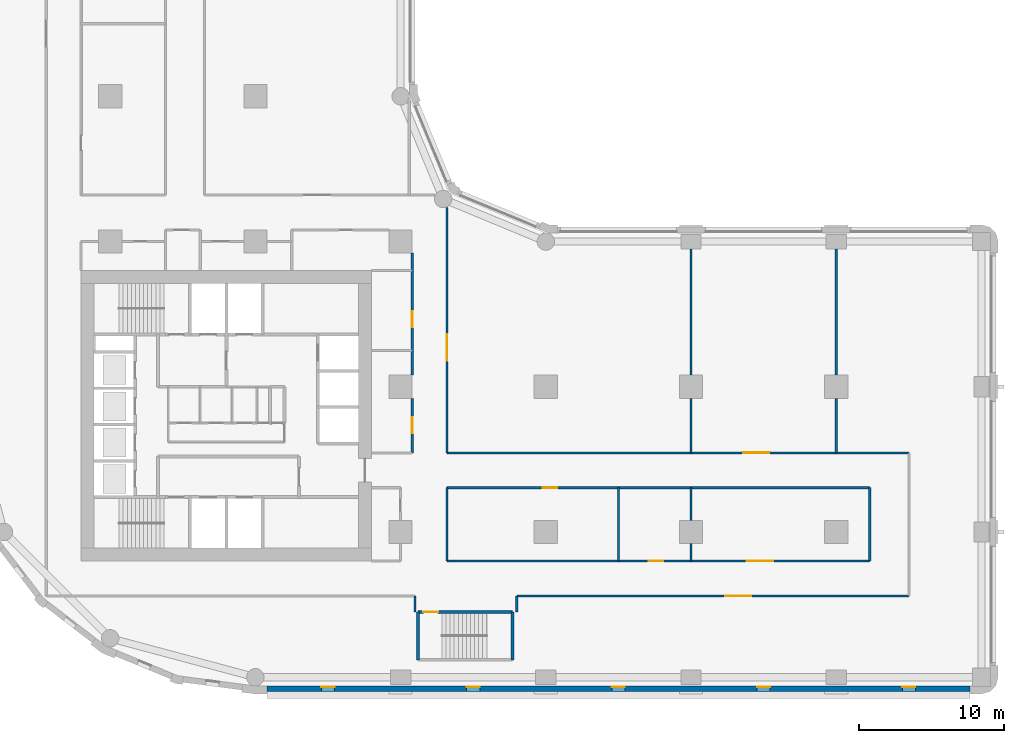
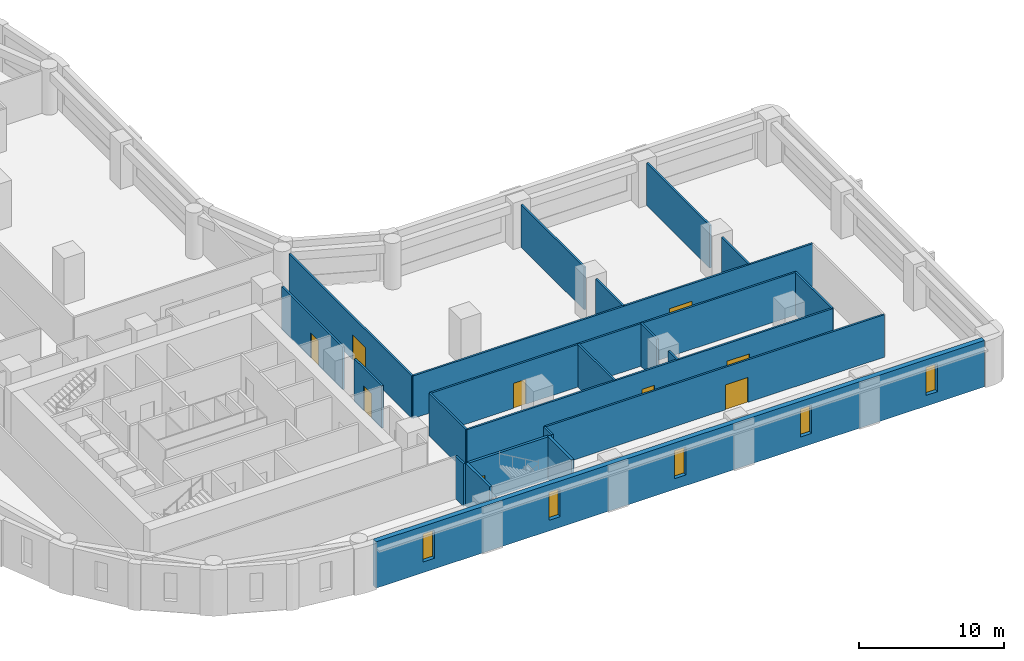
# One storey, part 4 of 10: 22 walls, 9 doors, 5 windows, 14 openings.
"""IFC4 building model written with IfcOpenShell, lengths in metres."""

import ifcopenshell
import ifcopenshell.guid

model = None  # the IFC model being written
_history = None  # IfcOwnerHistory: only IFC2X3 demands one
_inside = {}  # id of a spatial element -> (the spatial element, [elements in it])
_under = {}  # id of a project, library or spatial element -> (it, [spatial elements below it])
_declared = {}  # id of a project -> (the project, [libraries it declares])
_typed = {}  # id of a type object -> (the type object, [elements of that type])
_made_of = {}  # id of a material, layer set ... -> (it, [elements and type objects made of it])


def new_model(schema):
    """Start an empty IFC model of exactly this schema.

    Asked for "IFC4X3", IfcOpenShell would pick the latest addendum, in which some entities
    have other attributes; the version numbers below select the first issue.
    IFC2X3 requires an IfcOwnerHistory on every rooted entity: one is made here for all.
    """
    global model, _history
    if schema == "IFC4X3":
        model = ifcopenshell.file(schema_version=(4, 3, 0, 0))
    else:
        model = ifcopenshell.file(schema=schema)
    _inside.clear()
    _under.clear()
    _declared.clear()
    _typed.clear()
    _made_of.clear()
    _history = None
    if model.schema == "IFC2X3":
        org = make("IfcOrganization", Name="unknown")
        user = make(
            "IfcPersonAndOrganization",
            ThePerson=make("IfcPerson", FamilyName="unknown"),
            TheOrganization=org,
        )
        app = make(
            "IfcApplication",
            ApplicationDeveloper=org,
            Version="unknown",
            ApplicationFullName="unknown",
            ApplicationIdentifier="unknown",
        )
        _history = make(
            "IfcOwnerHistory",
            OwningUser=user,
            OwningApplication=app,
            ChangeAction="ADDED",
            CreationDate=0,
        )
    return model


def make(cls, **values):
    """One entity of the class cls with the attributes given. An attribute that is None is left unset."""
    return model.create_entity(
        cls, **{name: value for name, value in values.items() if value is not None}
    )


def rooted(cls, **values):
    """An entity with a GlobalId (a new one), such as an element, a storey or a relation."""
    return make(cls, GlobalId=ifcopenshell.guid.new(), OwnerHistory=_history, **values)


def si_unit(unit_type, name, prefix=None):
    """IfcSIUnit, for example si_unit("LENGTHUNIT", "METRE", prefix="MILLI")."""
    return make("IfcSIUnit", UnitType=unit_type, Prefix=prefix, Name=name)


def assignment(units):
    """IfcUnitAssignment: the units of a project."""
    return None if units is None else make("IfcUnitAssignment", Units=units)


def point(xyz):
    """IfcCartesianPoint."""
    return None if xyz is None else make("IfcCartesianPoint", Coordinates=xyz)


def direction(xyz):
    """IfcDirection."""
    return None if xyz is None else make("IfcDirection", DirectionRatios=xyz)


def frame(location, z_axis=None, x_axis=None):
    """IfcAxis2Placement3D, a coordinate frame: its origin and axes. An axis left out is left unset."""
    return make(
        "IfcAxis2Placement3D",
        Location=point(location),
        Axis=direction(z_axis),
        RefDirection=direction(x_axis),
    )


def frame_2d(location, x_axis=None):
    """IfcAxis2Placement2D, a coordinate frame in the plane: its origin and x axis."""
    return make(
        "IfcAxis2Placement2D", Location=point(location), RefDirection=direction(x_axis)
    )


def origin():
    """The frame at (0, 0, 0) with its axes left unset."""
    return frame((0.0, 0.0, 0.0))


def place(relative_to, where):
    """IfcLocalPlacement: puts the frame where relative to a parent placement (None: the world)."""
    return make(
        "IfcLocalPlacement", PlacementRelTo=relative_to, RelativePlacement=where
    )


def context(
    kind, dimensions, precision=None, world=None, true_north=None, identifier=None
):
    """IfcGeometricRepresentationContext, for example the 3D "Model" context."""
    return make(
        "IfcGeometricRepresentationContext",
        ContextIdentifier=identifier,
        ContextType=kind,
        CoordinateSpaceDimension=dimensions,
        Precision=precision,
        WorldCoordinateSystem=world,
        TrueNorth=true_north,
    )


def subcontext(parent, identifier, kind, view, scale=None):
    """IfcGeometricRepresentationSubContext, for example "Body" below "Model"."""
    return make(
        "IfcGeometricRepresentationSubContext",
        ContextIdentifier=identifier,
        ContextType=kind,
        ParentContext=parent,
        TargetScale=scale,
        TargetView=view,
    )


def project(units=None, contexts=None):
    """IfcProject with its units and contexts."""
    return rooted(
        "IfcProject",
        Name="project",
        RepresentationContexts=contexts,
        UnitsInContext=assignment(units),
    )


def spatial(cls, under=None, at=None, **own):
    """A site, building, storey or space (cls), placed at a placement, below another one or the project."""
    s = rooted(cls, ObjectPlacement=at, **own)
    if under is not None:
        _under.setdefault(under.id(), (under, []))[1].append(s)
    return s


def profile(cls, at=None, kind="AREA", **sizes):
    """A parametric profile (cls). Its sizes go by their IFC names, for example OverallWidth=200.0."""
    return make(cls, ProfileType=kind, Position=at, **sizes)


def rectangle(**sizes):
    """IfcRectangleProfileDef."""
    return profile("IfcRectangleProfileDef", **sizes)


def extrude(swept, where, along, depth):
    """IfcExtrudedAreaSolid: the profile swept, set in the frame where, extruded along a direction by depth."""
    return make(
        "IfcExtrudedAreaSolid",
        SweptArea=swept,
        Position=where,
        ExtrudedDirection=direction(along),
        Depth=depth,
    )


def shape(context_of_items, identifier, shape_type, items):
    """IfcShapeRepresentation: the items that make up one representation, for example the "Body"."""
    return make(
        "IfcShapeRepresentation",
        ContextOfItems=context_of_items,
        RepresentationIdentifier=identifier,
        RepresentationType=shape_type,
        Items=items,
    )


def material(Name=None, Category=None):
    """IfcMaterial."""
    return make("IfcMaterial", Name=Name, Category=Category)


def layer(
    of_material, thickness, ventilated=None, Name=None, Category=None, Priority=None
):
    """IfcMaterialLayer: one layer of a wall or slab, of a material (None: an air gap)."""
    return make(
        "IfcMaterialLayer",
        Material=of_material,
        LayerThickness=thickness,
        IsVentilated=ventilated,
        Name=Name,
        Category=Category,
        Priority=Priority,
    )


def layer_set(layers, Name=None):
    """IfcMaterialLayerSet."""
    return make("IfcMaterialLayerSet", MaterialLayers=layers, LayerSetName=Name)


def made_of(thing, what):
    """Note that an element or type object is made of a material, layer set ...; save() writes the relation."""
    if what is not None:
        _made_of.setdefault(what.id(), (what, []))[1].append(thing)
    return thing


def type_object(cls, material=None, **own):
    """A type object (cls), such as IfcWallType, which elements share."""
    return made_of(rooted(cls, **own), material)


def element(
    cls,
    number,
    at=None,
    inside=None,
    cuts=None,
    type_object=None,
    material=None,
    context=None,
    identifier="Body",
    shape_type=None,
    held_by="IfcProductDefinitionShape",
    body=None,
    shapes=None,
    **own,
):
    """One element of the class cls, such as IfcWall. Its Tag is "e" and its number.

    at: its placement. inside: the storey or other place that contains it. cuts: it is an
    opening in that element (IfcRelVoidsElement). A single representation is given by context,
    identifier, shape_type and body (its items); several are given by shapes. held_by: the class
    of the entity that holds the representations. save() writes the other relations.
    """
    e = rooted(cls, Tag="e%d" % number, ObjectPlacement=at, **own)
    if body is not None:
        shapes = [shape(context, identifier, shape_type, body)]
    if shapes is not None:
        e.Representation = make(held_by, Representations=shapes)
    if inside is not None:
        _inside.setdefault(inside.id(), (inside, []))[1].append(e)
    if cuts is not None:
        rooted(
            "IfcRelVoidsElement", RelatingBuildingElement=cuts, RelatedOpeningElement=e
        )
    if type_object is not None:
        _typed.setdefault(type_object.id(), (type_object, []))[1].append(e)
    return made_of(e, material)


def fill(opening, filler):
    """IfcRelFillsElement: the door or window that sits in an opening."""
    return rooted(
        "IfcRelFillsElement",
        RelatingOpeningElement=opening,
        RelatedBuildingElement=filler,
    )


def aggregate(whole, parts):
    """IfcRelAggregates: a whole, such as a stair, and the parts it consists of."""
    return rooted("IfcRelAggregates", RelatingObject=whole, RelatedObjects=parts)


def save(model, path):
    """Write the relations noted so far, then the file.

    IfcRelAggregates (storeys below a building ...), IfcRelContainedInSpatialStructure (elements
    in a storey), IfcRelDefinesByType, IfcRelAssociatesMaterial and IfcRelDeclares: one each for
    every whole, place, type object, material and project.
    """
    for whole, parts in _under.values():
        aggregate(whole, parts)
    for where, things in _inside.values():
        rooted(
            "IfcRelContainedInSpatialStructure",
            RelatedElements=things,
            RelatingStructure=where,
        )
    for kind, things in _typed.values():
        rooted("IfcRelDefinesByType", RelatedObjects=things, RelatingType=kind)
    for what, things in _made_of.values():
        rooted("IfcRelAssociatesMaterial", RelatedObjects=things, RelatingMaterial=what)
    for by, libraries in _declared.values():
        rooted("IfcRelDeclares", RelatingContext=by, RelatedDefinitions=libraries)
    model.write(path)


model = new_model("IFC4")

# Units and contexts
model_context = context("Model", 3, precision=1e-05, world=origin(), true_north=direction((0.0, 1.0)))
body_context = subcontext(model_context, "Body", "Model", "MODEL_VIEW")
ifc_project = project(units=[si_unit("LENGTHUNIT", "METRE"), si_unit("AREAUNIT", "SQUARE_METRE"), si_unit("VOLUMEUNIT", "CUBIC_METRE"), si_unit("PLANEANGLEUNIT", "RADIAN"), si_unit("MASSUNIT", "GRAM", prefix="KILO")], contexts=[model_context])

# Site, building, storey
site_placement = place(None, origin())
site = spatial("IfcSite", under=ifc_project, at=site_placement, CompositionType="ELEMENT")
building_placement = place(site_placement, origin())
building = spatial("IfcBuilding", under=site, at=building_placement, Name="Qaws Garden Tower", CompositionType="ELEMENT")
storey_placement = place(building_placement, frame((0.0, 0.0, 43.199951171875)))
storey = spatial("IfcBuildingStorey", under=building, at=storey_placement, Name="L10", CompositionType="ELEMENT", Elevation=43.199951171875)

# Wall, openings, windows
ifc_material_1 = material(Name="Buff clay facing brick masonry", Category="masonry")
ifc_layer_1 = layer(ifc_material_1, 0.39990234375)
ifc_layer_set_1 = layer_set([ifc_layer_1], Name="Buff clay facing brick masonry")
wall_type_1 = type_object("IfcWallType", Name="Buff brick infill wall 400", PredefinedType="SOLIDWALL", material=ifc_layer_set_1)
wall_1_placement = place(storey_placement, frame((20.800048828125, -0.800048828125, 0.0), z_axis=(0.0, 0.0, 1.0), x_axis=(1.0, 0.0, 0.0)))
wall_1 = element("IfcWall", 1, at=wall_1_placement, inside=storey, type_object=wall_type_1, Name="E-L10-infill-00", PredefinedType="SOLIDWALL", context=body_context, shape_type="SweptSolid", body=[
    extrude(rectangle(XDim=48.39990234375, YDim=0.39990234375, at=frame_2d((24.199951171875, 0.0))), origin(), (0.0, 0.0, 1.0), 3.900146484375),
])
opening_1_placement = place(wall_1_placement, frame((3.75, 0.0, 0.89990234375)))
opening_1 = element("IfcOpeningElement", 2, at=opening_1_placement, cuts=wall_1, Name="Opening W09", PredefinedType="OPENING", context=body_context, shape_type="SweptSolid", body=[
    extrude(rectangle(XDim=0.89990234375, YDim=2.35009765625, at=frame_2d((0.449951171875, 1.175048828125))), frame((0.0, 0.2099609375, 0.0), z_axis=(0.0, -1.0, 0.0), x_axis=(1.0, 0.0, 0.0)), (0.0, 0.0, 1.0), 0.419921875),
])
opening_2_placement = place(wall_1_placement, frame((13.75, 0.0, 0.89990234375)))
opening_2 = element("IfcOpeningElement", 3, at=opening_2_placement, cuts=wall_1, Name="Opening W09", PredefinedType="OPENING", context=body_context, shape_type="SweptSolid", body=[
    extrude(rectangle(XDim=0.89990234375, YDim=2.35009765625, at=frame_2d((0.449951171875, 1.175048828125))), frame((0.0, 0.2099609375, 0.0), z_axis=(0.0, -1.0, 0.0), x_axis=(1.0, 0.0, 0.0)), (0.0, 0.0, 1.0), 0.419921875),
])
opening_3_placement = place(wall_1_placement, frame((23.75, 0.0, 0.89990234375)))
opening_3 = element("IfcOpeningElement", 4, at=opening_3_placement, cuts=wall_1, Name="Opening W09", PredefinedType="OPENING", context=body_context, shape_type="SweptSolid", body=[
    extrude(rectangle(XDim=0.89990234375, YDim=2.35009765625, at=frame_2d((0.449951171875, 1.175048828125))), frame((0.0, 0.2099609375, 0.0), z_axis=(0.0, -1.0, 0.0), x_axis=(1.0, 0.0, 0.0)), (0.0, 0.0, 1.0), 0.419921875),
])
opening_4_placement = place(wall_1_placement, frame((33.75, 0.0, 0.89990234375)))
opening_4 = element("IfcOpeningElement", 5, at=opening_4_placement, cuts=wall_1, Name="Opening W09", PredefinedType="OPENING", context=body_context, shape_type="SweptSolid", body=[
    extrude(rectangle(XDim=0.89990234375, YDim=2.35009765625, at=frame_2d((0.449951171875, 1.175048828125))), frame((0.0, 0.2099609375, 0.0), z_axis=(0.0, -1.0, 0.0), x_axis=(1.0, 0.0, 0.0)), (0.0, 0.0, 1.0), 0.419921875),
])
opening_5_placement = place(wall_1_placement, frame((43.75, 0.0, 0.89990234375)))
opening_5 = element("IfcOpeningElement", 6, at=opening_5_placement, cuts=wall_1, Name="Opening W09", PredefinedType="OPENING", context=body_context, shape_type="SweptSolid", body=[
    extrude(rectangle(XDim=0.89990234375, YDim=2.35009765625, at=frame_2d((0.449951171875, 1.175048828125))), frame((0.0, 0.2099609375, 0.0), z_axis=(0.0, -1.0, 0.0), x_axis=(1.0, 0.0, 0.0)), (0.0, 0.0, 1.0), 0.419921875),
])
ifc_material_2 = material(Name="Aluminium framed window, clear glazing", Category="aluminium")
window_type = type_object("IfcWindowType", Name="Slit window 900 x 2350", PartitioningType="SINGLE_PANEL", PredefinedType="WINDOW", material=ifc_material_2)
window_1_placement = place(opening_1_placement, origin())
window_1 = element("IfcWindow", 7, at=window_1_placement, inside=storey, type_object=window_type, Name="E-L10-window-00-0", OverallHeight=2.35009765625, OverallWidth=0.89990234375, PartitioningType="SINGLE_PANEL", PredefinedType="WINDOW", context=body_context, shape_type="SweptSolid", body=[
    extrude(rectangle(XDim=0.89990234375, YDim=2.35009765625, at=frame_2d((0.449951171875, 1.175048828125))), frame((0.0, 0.159912109375, 0.0), z_axis=(0.0, -1.0, 0.0), x_axis=(1.0, 0.0, 0.0)), (0.0, 0.0, 1.0), 0.06005859375),
])
fill(opening_1, window_1)
window_2_placement = place(opening_2_placement, origin())
window_2 = element("IfcWindow", 8, at=window_2_placement, inside=storey, type_object=window_type, Name="E-L10-window-01-0", OverallHeight=2.35009765625, OverallWidth=0.89990234375, PartitioningType="SINGLE_PANEL", PredefinedType="WINDOW", context=body_context, shape_type="SweptSolid", body=[
    extrude(rectangle(XDim=0.89990234375, YDim=2.35009765625, at=frame_2d((0.449951171875, 1.175048828125))), frame((0.0, 0.159912109375, 0.0), z_axis=(0.0, -1.0, 0.0), x_axis=(1.0, 0.0, 0.0)), (0.0, 0.0, 1.0), 0.06005859375),
])
fill(opening_2, window_2)
window_3_placement = place(opening_3_placement, origin())
window_3 = element("IfcWindow", 9, at=window_3_placement, inside=storey, type_object=window_type, Name="E-L10-window-02-0", OverallHeight=2.35009765625, OverallWidth=0.89990234375, PartitioningType="SINGLE_PANEL", PredefinedType="WINDOW", context=body_context, shape_type="SweptSolid", body=[
    extrude(rectangle(XDim=0.89990234375, YDim=2.35009765625, at=frame_2d((0.449951171875, 1.175048828125))), frame((0.0, 0.159912109375, 0.0), z_axis=(0.0, -1.0, 0.0), x_axis=(1.0, 0.0, 0.0)), (0.0, 0.0, 1.0), 0.06005859375),
])
fill(opening_3, window_3)
window_4_placement = place(opening_4_placement, origin())
window_4 = element("IfcWindow", 10, at=window_4_placement, inside=storey, type_object=window_type, Name="E-L10-window-03-0", OverallHeight=2.35009765625, OverallWidth=0.89990234375, PartitioningType="SINGLE_PANEL", PredefinedType="WINDOW", context=body_context, shape_type="SweptSolid", body=[
    extrude(rectangle(XDim=0.89990234375, YDim=2.35009765625, at=frame_2d((0.449951171875, 1.175048828125))), frame((0.0, 0.159912109375, 0.0), z_axis=(0.0, -1.0, 0.0), x_axis=(1.0, 0.0, 0.0)), (0.0, 0.0, 1.0), 0.06005859375),
])
fill(opening_4, window_4)
window_5_placement = place(opening_5_placement, origin())
window_5 = element("IfcWindow", 11, at=window_5_placement, inside=storey, type_object=window_type, Name="E-L10-window-04-0", OverallHeight=2.35009765625, OverallWidth=0.89990234375, PartitioningType="SINGLE_PANEL", PredefinedType="WINDOW", context=body_context, shape_type="SweptSolid", body=[
    extrude(rectangle(XDim=0.89990234375, YDim=2.35009765625, at=frame_2d((0.449951171875, 1.175048828125))), frame((0.0, 0.159912109375, 0.0), z_axis=(0.0, -1.0, 0.0), x_axis=(1.0, 0.0, 0.0)), (0.0, 0.0, 1.0), 0.06005859375),
])
fill(opening_5, window_5)

# Wall, opening, door
ifc_material_3 = material(Name="Concrete C80", Category="concrete")
ifc_layer_2 = layer(ifc_material_3, 0.199951171875)
ifc_layer_set_2 = layer_set([ifc_layer_2], Name="Concrete C80")
wall_type_2 = type_object("IfcWallType", Name="Core shaft wall 200 C80", PredefinedType="SHEAR", material=ifc_layer_set_2)
wall_2_placement = place(storey_placement, frame((31.199951171875, 4.5, 0.0), z_axis=(0.0, 0.0, 1.0), x_axis=(1.0, 0.0, 0.0)))
wall_2 = element("IfcWall", 12, at=wall_2_placement, inside=storey, type_object=wall_type_2, Name="Shaft wall", PredefinedType="SHEAR", context=body_context, shape_type="SweptSolid", body=[
    extrude(rectangle(XDim=6.5, YDim=0.199951171875, at=frame_2d((3.25, 0.0))), origin(), (0.0, 0.0, 1.0), 3.580078125),
])
opening_6_placement = place(wall_2_placement, frame((0.375, 0.0, 0.0)))
opening_6 = element("IfcOpeningElement", 13, at=opening_6_placement, cuts=wall_2, Name="Opening SD12", PredefinedType="OPENING", context=body_context, shape_type="SweptSolid", body=[
    extrude(rectangle(XDim=1.0, YDim=2.10009765625, at=frame_2d((0.5, 1.050048828125))), frame((0.0, 0.10986328125, 0.0), z_axis=(0.0, -1.0, 0.0), x_axis=(1.0, 0.0, 0.0)), (0.0, 0.0, 1.0), 0.219970703125),
])
ifc_material_4 = material(Name="Steel S235", Category="steel")
door_type_1 = type_object("IfcDoorType", Name="Stair door 1000x2100", OperationType="SINGLE_SWING_RIGHT", PredefinedType="DOOR", material=ifc_material_4)
door_1_placement = place(opening_6_placement, frame((1.0, 0.0, 0.0), z_axis=(0.0, 0.0, 1.0), x_axis=(-1.0, 0.0, 0.0)))
door_1 = element("IfcDoor", 14, at=door_1_placement, inside=storey, type_object=door_type_1, Name="Stair 5 door", OperationType="SINGLE_SWING_RIGHT", OverallHeight=2.10009765625, OverallWidth=1.0, PredefinedType="DOOR", context=body_context, shape_type="SweptSolid", body=[
    extrude(rectangle(XDim=1.0, YDim=2.10009765625, at=frame_2d((0.5, 1.050048828125))), frame((0.0, 0.02490234375, 0.0), z_axis=(0.0, -1.0, 0.0), x_axis=(1.0, 0.0, 0.0)), (0.0, 0.0, 1.0), 0.050048828125),
])
fill(opening_6, door_1)

# Walls
for number, where, z_axis, x_axis, name in (
    (15, (31.199951171875, 1.199951171875, 0.0), (0.0, 0.0, 1.0), (0.0, 1.0, 0.0), "Shaft wall"),
    (16, (37.699951171875, 1.199951171875, 0.0), (0.0, 0.0, 1.0), (0.0, 1.0, 0.0), "Shaft wall"),
):
    element("IfcWall", number, at=place(storey_placement, frame(where, z_axis=z_axis, x_axis=x_axis)), inside=storey, type_object=wall_type_2, Name=name, PredefinedType="SHEAR", context=body_context, shape_type="SweptSolid", body=[
        extrude(rectangle(XDim=3.300048828125, YDim=0.199951171875, at=frame_2d((1.64990234375, 0.0))), origin(), (0.0, 0.0, 1.0), 3.580078125),
    ])

# Wall, opening, door
ifc_material_5 = material(Name="Gypsum board partition")
ifc_layer_3 = layer(ifc_material_5, 0.14990234375)
ifc_layer_set_3 = layer_set([ifc_layer_3], Name="Gypsum board partition")
wall_type_3 = type_object("IfcWallType", Name="PARTITION 150 EI 60", PredefinedType="PARTITIONING", material=ifc_layer_set_3)
wall_3_placement = place(storey_placement, frame((30.800048828125, 15.449951171875, 0.0), z_axis=(0.0, 0.0, 1.0), x_axis=(0.0, 1.0, 0.0)))
wall_3 = element("IfcWall", 17, at=wall_3_placement, inside=storey, type_object=wall_type_3, Name="O-L10-wall-016", PredefinedType="PARTITIONING", context=body_context, shape_type="SweptSolid", body=[
    extrude(rectangle(XDim=3.75, YDim=0.14990234375, at=frame_2d((1.875, 0.0))), origin(), (0.0, 0.0, 1.0), 3.580078125),
])
opening_7_placement = place(wall_3_placement, frame((1.35009765625, 0.0, 0.0)))
opening_7 = element("IfcOpeningElement", 18, at=opening_7_placement, cuts=wall_3, Name="Opening A318", PredefinedType="OPENING", context=body_context, shape_type="SweptSolid", body=[
    extrude(rectangle(XDim=1.10009765625, YDim=2.10009765625, at=frame_2d((0.550048828125, 1.050048828125))), frame((0.0, 0.0849609375, 0.0), z_axis=(0.0, -1.0, 0.0), x_axis=(1.0, 0.0, 0.0)), (0.0, 0.0, 1.0), 0.169921875),
])
ifc_material_6 = material(Name="Timber door leaf", Category="wood")
door_type_2 = type_object("IfcDoorType", Name="SERVICE ROOM DOOR 1100 X 2100", OperationType="SINGLE_SWING_LEFT", PredefinedType="DOOR", material=ifc_material_6)
door_2_placement = place(opening_7_placement, origin())
door_2 = element("IfcDoor", 19, at=door_2_placement, inside=storey, type_object=door_type_2, Name="O-L10-door-018", OperationType="SINGLE_SWING_RIGHT", OverallHeight=2.10009765625, OverallWidth=1.10009765625, PredefinedType="DOOR", context=body_context, shape_type="SweptSolid", body=[
    extrude(rectangle(XDim=1.10009765625, YDim=2.10009765625, at=frame_2d((0.550048828125, 1.050048828125))), frame((0.0, 0.02490234375, 0.0), z_axis=(0.0, -1.0, 0.0), x_axis=(1.0, 0.0, 0.0)), (0.0, 0.0, 1.0), 0.050048828125),
])
fill(opening_7, door_2)

wall_4_placement = place(storey_placement, frame((30.800048828125, 20.800048828125, 0.0), z_axis=(0.0, 0.0, 1.0), x_axis=(0.0, 1.0, 0.0)))
wall_4 = element("IfcWall", 20, at=wall_4_placement, inside=storey, type_object=wall_type_3, Name="O-L10-wall-017", PredefinedType="PARTITIONING", context=body_context, shape_type="SweptSolid", body=[
    extrude(rectangle(XDim=8.39990234375, YDim=0.14990234375, at=frame_2d((4.199951171875, 0.0))), origin(), (0.0, 0.0, 1.0), 3.580078125),
])
opening_8_placement = place(wall_4_placement, frame((3.300048828125, 0.0, 0.0)))
opening_8 = element("IfcOpeningElement", 21, at=opening_8_placement, cuts=wall_4, Name="Opening A319", PredefinedType="OPENING", context=body_context, shape_type="SweptSolid", body=[
    extrude(rectangle(XDim=1.10009765625, YDim=2.10009765625, at=frame_2d((0.550048828125, 1.050048828125))), frame((0.0, 0.0849609375, 0.0), z_axis=(0.0, -1.0, 0.0), x_axis=(1.0, 0.0, 0.0)), (0.0, 0.0, 1.0), 0.169921875),
])
door_3_placement = place(opening_8_placement, origin())
door_3 = element("IfcDoor", 22, at=door_3_placement, inside=storey, type_object=door_type_2, Name="O-L10-door-019", OperationType="SINGLE_SWING_RIGHT", OverallHeight=2.10009765625, OverallWidth=1.10009765625, PredefinedType="DOOR", context=body_context, shape_type="SweptSolid", body=[
    extrude(rectangle(XDim=1.10009765625, YDim=2.10009765625, at=frame_2d((0.550048828125, 1.050048828125))), frame((0.0, 0.02490234375, 0.0), z_axis=(0.0, -1.0, 0.0), x_axis=(1.0, 0.0, 0.0)), (0.0, 0.0, 1.0), 0.050048828125),
])
fill(opening_8, door_3)

# Walls
wall_5_placement = place(storey_placement, frame((31.0, 4.5, 0.0), z_axis=(0.0, 0.0, 1.0), x_axis=(0.0, 1.0, 0.0)))
element("IfcWall", 23, at=wall_5_placement, inside=storey, type_object=wall_type_3, Name="O-L10-wall-018", PredefinedType="PARTITIONING", context=body_context, shape_type="SweptSolid", body=[
    extrude(rectangle(XDim=1.10009765625, YDim=0.14990234375, at=frame_2d((0.550048828125, 0.0))), origin(), (0.0, 0.0, 1.0), 3.580078125),
])
wall_6_placement = place(storey_placement, frame((33.199951171875, 8.0, 0.0), z_axis=(0.0, 0.0, 1.0), x_axis=(0.0, 1.0, 0.0)))
element("IfcWall", 24, at=wall_6_placement, inside=storey, type_object=wall_type_3, Name="O-L10-wall-019", PredefinedType="PARTITIONING", context=body_context, shape_type="SweptSolid", body=[
    extrude(rectangle(XDim=5.050048828125, YDim=0.14990234375, at=frame_2d((2.52490234375, 0.0))), origin(), (0.0, 0.0, 1.0), 3.580078125),
])

# Wall, opening, door
wall_7_placement = place(storey_placement, frame((33.199951171875, 15.449951171875, 0.0), z_axis=(0.0, 0.0, 1.0), x_axis=(0.0, 1.0, 0.0)))
wall_7 = element("IfcWall", 25, at=wall_7_placement, inside=storey, type_object=wall_type_3, Name="O-L10-wall-020", PredefinedType="PARTITIONING", context=body_context, shape_type="SweptSolid", body=[
    extrude(rectangle(XDim=16.912109375, YDim=0.14990234375, at=frame_2d((8.4560546875, 0.0))), origin(), (0.0, 0.0, 1.0), 3.580078125),
])
opening_9_placement = place(wall_7_placement, frame((6.35009765625, 0.0, 0.0)))
opening_9 = element("IfcOpeningElement", 26, at=opening_9_placement, cuts=wall_7, Name="Opening A315", PredefinedType="OPENING", context=body_context, shape_type="SweptSolid", body=[
    extrude(rectangle(XDim=1.800048828125, YDim=2.10009765625, at=frame_2d((0.89990234375, 1.050048828125))), frame((0.0, 0.0849609375, 0.0), z_axis=(0.0, -1.0, 0.0), x_axis=(1.0, 0.0, 0.0)), (0.0, 0.0, 1.0), 0.169921875),
])
ifc_material_7 = material(Name="Timber door leaf", Category="wood")
door_type_3 = type_object("IfcDoorType", Name="DOUBLE DOOR 1800 X 2100", OperationType="DOUBLE_DOOR_SINGLE_SWING", PredefinedType="DOOR", material=ifc_material_7)
door_4_placement = place(opening_9_placement, frame((1.800048828125, 0.0, 0.0), z_axis=(0.0, 0.0, 1.0), x_axis=(-1.0, 0.0, 0.0)))
door_4 = element("IfcDoor", 27, at=door_4_placement, inside=storey, type_object=door_type_3, Name="O-L10-door-015", OperationType="DOUBLE_DOOR_SINGLE_SWING", OverallHeight=2.10009765625, OverallWidth=1.800048828125, PredefinedType="DOOR", context=body_context, shape_type="SweptSolid", body=[
    extrude(rectangle(XDim=1.800048828125, YDim=2.10009765625, at=frame_2d((0.89990234375, 1.050048828125))), frame((0.0, 0.02490234375, 0.0), z_axis=(0.0, -1.0, 0.0), x_axis=(1.0, 0.0, 0.0)), (0.0, 0.0, 1.0), 0.050048828125),
])
fill(opening_9, door_4)

# Walls
wall_8_placement = place(storey_placement, frame((38.0, 4.5, 0.0), z_axis=(0.0, 0.0, 1.0), x_axis=(0.0, 1.0, 0.0)))
element("IfcWall", 28, at=wall_8_placement, inside=storey, type_object=wall_type_3, Name="O-L10-wall-021", PredefinedType="PARTITIONING", context=body_context, shape_type="SweptSolid", body=[
    extrude(rectangle(XDim=1.10009765625, YDim=0.14990234375, at=frame_2d((0.550048828125, 0.0))), origin(), (0.0, 0.0, 1.0), 3.580078125),
])
wall_9_placement = place(storey_placement, frame((45.0, 8.0, 0.0), z_axis=(0.0, 0.0, 1.0), x_axis=(0.0, 1.0, 0.0)))
element("IfcWall", 29, at=wall_9_placement, inside=storey, type_object=wall_type_3, Name="O-L10-wall-022", PredefinedType="PARTITIONING", context=body_context, shape_type="SweptSolid", body=[
    extrude(rectangle(XDim=5.050048828125, YDim=0.14990234375, at=frame_2d((2.52490234375, 0.0))), origin(), (0.0, 0.0, 1.0), 3.580078125),
])
wall_10_placement = place(storey_placement, frame((50.0, 8.0, 0.0), z_axis=(0.0, 0.0, 1.0), x_axis=(0.0, 1.0, 0.0)))
element("IfcWall", 30, at=wall_10_placement, inside=storey, type_object=wall_type_3, Name="O-L10-wall-023", PredefinedType="PARTITIONING", context=body_context, shape_type="SweptSolid", body=[
    extrude(rectangle(XDim=1.199951171875, YDim=0.14990234375, at=frame_2d((0.60009765625, 0.0))), origin(), (0.0, 0.0, 1.0), 3.580078125),
])
wall_11_placement = place(storey_placement, frame((50.0, 10.800048828125, 0.0), z_axis=(0.0, 0.0, 1.0), x_axis=(0.0, 1.0, 0.0)))
element("IfcWall", 31, at=wall_11_placement, inside=storey, type_object=wall_type_3, Name="O-L10-wall-024", PredefinedType="PARTITIONING", context=body_context, shape_type="SweptSolid", body=[
    extrude(rectangle(XDim=2.25, YDim=0.14990234375, at=frame_2d((1.125, 0.0))), origin(), (0.0, 0.0, 1.0), 3.580078125),
])
wall_12_placement = place(storey_placement, frame((50.0, 15.449951171875, 0.0), z_axis=(0.0, 0.0, 1.0), x_axis=(0.0, 1.0, 0.0)))
element("IfcWall", 32, at=wall_12_placement, inside=storey, type_object=wall_type_3, Name="O-L10-wall-025", PredefinedType="PARTITIONING", context=body_context, shape_type="SweptSolid", body=[
    extrude(rectangle(XDim=3.75, YDim=0.14990234375, at=frame_2d((1.875, 0.0))), origin(), (0.0, 0.0, 1.0), 3.580078125),
])
wall_13_placement = place(storey_placement, frame((50.0, 20.800048828125, 0.0), z_axis=(0.0, 0.0, 1.0), x_axis=(0.0, 1.0, 0.0)))
element("IfcWall", 33, at=wall_13_placement, inside=storey, type_object=wall_type_3, Name="O-L10-wall-026", PredefinedType="PARTITIONING", context=body_context, shape_type="SweptSolid", body=[
    extrude(rectangle(XDim=8.699951171875, YDim=0.14990234375, at=frame_2d((4.35009765625, 0.0))), origin(), (0.0, 0.0, 1.0), 3.580078125),
])
wall_14_placement = place(storey_placement, frame((60.0, 15.449951171875, 0.0), z_axis=(0.0, 0.0, 1.0), x_axis=(0.0, 1.0, 0.0)))
element("IfcWall", 34, at=wall_14_placement, inside=storey, type_object=wall_type_3, Name="O-L10-wall-027", PredefinedType="PARTITIONING", context=body_context, shape_type="SweptSolid", body=[
    extrude(rectangle(XDim=3.75, YDim=0.14990234375, at=frame_2d((1.875, 0.0))), origin(), (0.0, 0.0, 1.0), 3.580078125),
])
wall_15_placement = place(storey_placement, frame((60.0, 20.800048828125, 0.0), z_axis=(0.0, 0.0, 1.0), x_axis=(0.0, 1.0, 0.0)))
element("IfcWall", 35, at=wall_15_placement, inside=storey, type_object=wall_type_3, Name="O-L10-wall-028", PredefinedType="PARTITIONING", context=body_context, shape_type="SweptSolid", body=[
    extrude(rectangle(XDim=8.699951171875, YDim=0.14990234375, at=frame_2d((4.35009765625, 0.0))), origin(), (0.0, 0.0, 1.0), 3.580078125),
])
wall_16_placement = place(storey_placement, frame((62.300048828125, 8.0, 0.0), z_axis=(0.0, 0.0, 1.0), x_axis=(0.0, 1.0, 0.0)))
element("IfcWall", 36, at=wall_16_placement, inside=storey, type_object=wall_type_3, Name="O-L10-wall-029", PredefinedType="PARTITIONING", context=body_context, shape_type="SweptSolid", body=[
    extrude(rectangle(XDim=5.050048828125, YDim=0.14990234375, at=frame_2d((2.52490234375, 0.0))), origin(), (0.0, 0.0, 1.0), 3.580078125),
])

# Wall, opening, door
wall_17_placement = place(storey_placement, frame((38.0, 5.60009765625, 0.0), z_axis=(0.0, 0.0, 1.0), x_axis=(1.0, 0.0, 0.0)))
wall_17 = element("IfcWall", 37, at=wall_17_placement, inside=storey, type_object=wall_type_3, Name="O-L10-wall-032", PredefinedType="PARTITIONING", context=body_context, shape_type="SweptSolid", body=[
    extrude(rectangle(XDim=27.0, YDim=0.14990234375, at=frame_2d((13.5, 0.0))), origin(), (0.0, 0.0, 1.0), 3.580078125),
])
opening_10_placement = place(wall_17_placement, frame((14.35009765625, 0.0, 0.0)))
opening_10 = element("IfcOpeningElement", 38, at=opening_10_placement, cuts=wall_17, Name="Opening A302", PredefinedType="OPENING", context=body_context, shape_type="SweptSolid", body=[
    extrude(rectangle(XDim=1.800048828125, YDim=2.10009765625, at=frame_2d((0.89990234375, 1.050048828125))), frame((0.0, 0.0849609375, 0.0), z_axis=(0.0, -1.0, 0.0), x_axis=(1.0, 0.0, 0.0)), (0.0, 0.0, 1.0), 0.169921875),
])
door_5_placement = place(opening_10_placement, frame((1.800048828125, 0.0, 0.0), z_axis=(0.0, 0.0, 1.0), x_axis=(-1.0, 0.0, 0.0)))
door_5 = element("IfcDoor", 39, at=door_5_placement, inside=storey, type_object=door_type_3, Name="O-L10-door-002", OperationType="DOUBLE_DOOR_SINGLE_SWING", OverallHeight=2.10009765625, OverallWidth=1.800048828125, PredefinedType="DOOR", context=body_context, shape_type="SweptSolid", body=[
    extrude(rectangle(XDim=1.800048828125, YDim=2.10009765625, at=frame_2d((0.89990234375, 1.050048828125))), frame((0.0, 0.02490234375, 0.0), z_axis=(0.0, -1.0, 0.0), x_axis=(1.0, 0.0, 0.0)), (0.0, 0.0, 1.0), 0.050048828125),
])
fill(opening_10, door_5)

# Wall, openings, doors
wall_18_placement = place(storey_placement, frame((33.199951171875, 8.0, 0.0), z_axis=(0.0, 0.0, 1.0), x_axis=(1.0, 0.0, 0.0)))
wall_18 = element("IfcWall", 40, at=wall_18_placement, inside=storey, type_object=wall_type_3, Name="O-L10-wall-034", PredefinedType="PARTITIONING", context=body_context, shape_type="SweptSolid", body=[
    extrude(rectangle(XDim=29.10009765625, YDim=0.14990234375, at=frame_2d((14.550048828125, 0.0))), origin(), (0.0, 0.0, 1.0), 3.580078125),
])
opening_11_placement = place(wall_18_placement, frame((13.89990234375, 0.0, 0.0)))
opening_11 = element("IfcOpeningElement", 41, at=opening_11_placement, cuts=wall_18, Name="Opening A313", PredefinedType="OPENING", context=body_context, shape_type="SweptSolid", body=[
    extrude(rectangle(XDim=1.0, YDim=2.10009765625, at=frame_2d((0.5, 1.050048828125))), frame((0.0, 0.0849609375, 0.0), z_axis=(0.0, -1.0, 0.0), x_axis=(1.0, 0.0, 0.0)), (0.0, 0.0, 1.0), 0.169921875),
])
opening_12_placement = place(wall_18_placement, frame((20.64990234375, 0.0, 0.0)))
opening_12 = element("IfcOpeningElement", 42, at=opening_12_placement, cuts=wall_18, Name="Opening A314", PredefinedType="OPENING", context=body_context, shape_type="SweptSolid", body=[
    extrude(rectangle(XDim=1.800048828125, YDim=2.10009765625, at=frame_2d((0.89990234375, 1.050048828125))), frame((0.0, 0.0849609375, 0.0), z_axis=(0.0, -1.0, 0.0), x_axis=(1.0, 0.0, 0.0)), (0.0, 0.0, 1.0), 0.169921875),
])
door_6_placement = place(opening_12_placement, origin())
door_6 = element("IfcDoor", 43, at=door_6_placement, inside=storey, type_object=door_type_3, Name="O-L10-door-014", OperationType="DOUBLE_DOOR_SINGLE_SWING", OverallHeight=2.10009765625, OverallWidth=1.800048828125, PredefinedType="DOOR", context=body_context, shape_type="SweptSolid", body=[
    extrude(rectangle(XDim=1.800048828125, YDim=2.10009765625, at=frame_2d((0.89990234375, 1.050048828125))), frame((0.0, 0.02490234375, 0.0), z_axis=(0.0, -1.0, 0.0), x_axis=(1.0, 0.0, 0.0)), (0.0, 0.0, 1.0), 0.050048828125),
])
fill(opening_12, door_6)
ifc_material_8 = material(Name="Timber door leaf", Category="wood")
door_type_4 = type_object("IfcDoorType", Name="TENANCY ENTRANCE DOOR 1000 X 2100", OperationType="SINGLE_SWING_LEFT", PredefinedType="DOOR", material=ifc_material_8)
door_7_placement = place(opening_11_placement, origin())
door_7 = element("IfcDoor", 44, at=door_7_placement, inside=storey, type_object=door_type_4, Name="O-L10-door-013", OperationType="SINGLE_SWING_LEFT", OverallHeight=2.10009765625, OverallWidth=1.0, PredefinedType="DOOR", context=body_context, shape_type="SweptSolid", body=[
    extrude(rectangle(XDim=1.0, YDim=2.10009765625, at=frame_2d((0.5, 1.050048828125))), frame((0.0, 0.02490234375, 0.0), z_axis=(0.0, -1.0, 0.0), x_axis=(1.0, 0.0, 0.0)), (0.0, 0.0, 1.0), 0.050048828125),
])
fill(opening_11, door_7)

# Wall, opening, door
wall_19_placement = place(storey_placement, frame((33.199951171875, 13.050048828125, 0.0), z_axis=(0.0, 0.0, 1.0), x_axis=(1.0, 0.0, 0.0)))
wall_19 = element("IfcWall", 45, at=wall_19_placement, inside=storey, type_object=wall_type_3, Name="O-L10-wall-036", PredefinedType="PARTITIONING", context=body_context, shape_type="SweptSolid", body=[
    extrude(rectangle(XDim=29.10009765625, YDim=0.14990234375, at=frame_2d((14.550048828125, 0.0))), origin(), (0.0, 0.0, 1.0), 3.580078125),
])
opening_13_placement = place(wall_19_placement, frame((6.60009765625, 0.0, 0.0)))
opening_13 = element("IfcOpeningElement", 46, at=opening_13_placement, cuts=wall_19, Name="Opening A312", PredefinedType="OPENING", context=body_context, shape_type="SweptSolid", body=[
    extrude(rectangle(XDim=1.0, YDim=2.10009765625, at=frame_2d((0.5, 1.050048828125))), frame((0.0, 0.0849609375, 0.0), z_axis=(0.0, -1.0, 0.0), x_axis=(1.0, 0.0, 0.0)), (0.0, 0.0, 1.0), 0.169921875),
])
door_8_placement = place(opening_13_placement, frame((1.0, 0.0, 0.0), z_axis=(0.0, 0.0, 1.0), x_axis=(-1.0, 0.0, 0.0)))
door_8 = element("IfcDoor", 47, at=door_8_placement, inside=storey, type_object=door_type_4, Name="O-L10-door-012", OperationType="SINGLE_SWING_RIGHT", OverallHeight=2.10009765625, OverallWidth=1.0, PredefinedType="DOOR", context=body_context, shape_type="SweptSolid", body=[
    extrude(rectangle(XDim=1.0, YDim=2.10009765625, at=frame_2d((0.5, 1.050048828125))), frame((0.0, 0.02490234375, 0.0), z_axis=(0.0, -1.0, 0.0), x_axis=(1.0, 0.0, 0.0)), (0.0, 0.0, 1.0), 0.050048828125),
])
fill(opening_13, door_8)

wall_20_placement = place(storey_placement, frame((33.199951171875, 15.449951171875, 0.0), z_axis=(0.0, 0.0, 1.0), x_axis=(1.0, 0.0, 0.0)))
wall_20 = element("IfcWall", 48, at=wall_20_placement, inside=storey, type_object=wall_type_3, Name="O-L10-wall-038", PredefinedType="PARTITIONING", context=body_context, shape_type="SweptSolid", body=[
    extrude(rectangle(XDim=31.800048828125, YDim=0.14990234375, at=frame_2d((15.89990234375, 0.0))), origin(), (0.0, 0.0, 1.0), 3.580078125),
])
opening_14_placement = place(wall_20_placement, frame((20.39990234375, 0.0, 0.0)))
opening_14 = element("IfcOpeningElement", 49, at=opening_14_placement, cuts=wall_20, Name="Opening A316", PredefinedType="OPENING", context=body_context, shape_type="SweptSolid", body=[
    extrude(rectangle(XDim=1.800048828125, YDim=2.10009765625, at=frame_2d((0.89990234375, 1.050048828125))), frame((0.0, 0.0849609375, 0.0), z_axis=(0.0, -1.0, 0.0), x_axis=(1.0, 0.0, 0.0)), (0.0, 0.0, 1.0), 0.169921875),
])
door_9_placement = place(opening_14_placement, origin())
door_9 = element("IfcDoor", 50, at=door_9_placement, inside=storey, type_object=door_type_3, Name="O-L10-door-016", OperationType="DOUBLE_DOOR_SINGLE_SWING", OverallHeight=2.10009765625, OverallWidth=1.800048828125, PredefinedType="DOOR", context=body_context, shape_type="SweptSolid", body=[
    extrude(rectangle(XDim=1.800048828125, YDim=2.10009765625, at=frame_2d((0.89990234375, 1.050048828125))), frame((0.0, 0.02490234375, 0.0), z_axis=(0.0, -1.0, 0.0), x_axis=(1.0, 0.0, 0.0)), (0.0, 0.0, 1.0), 0.050048828125),
])
fill(opening_14, door_9)

save(model, "model.ifc")
